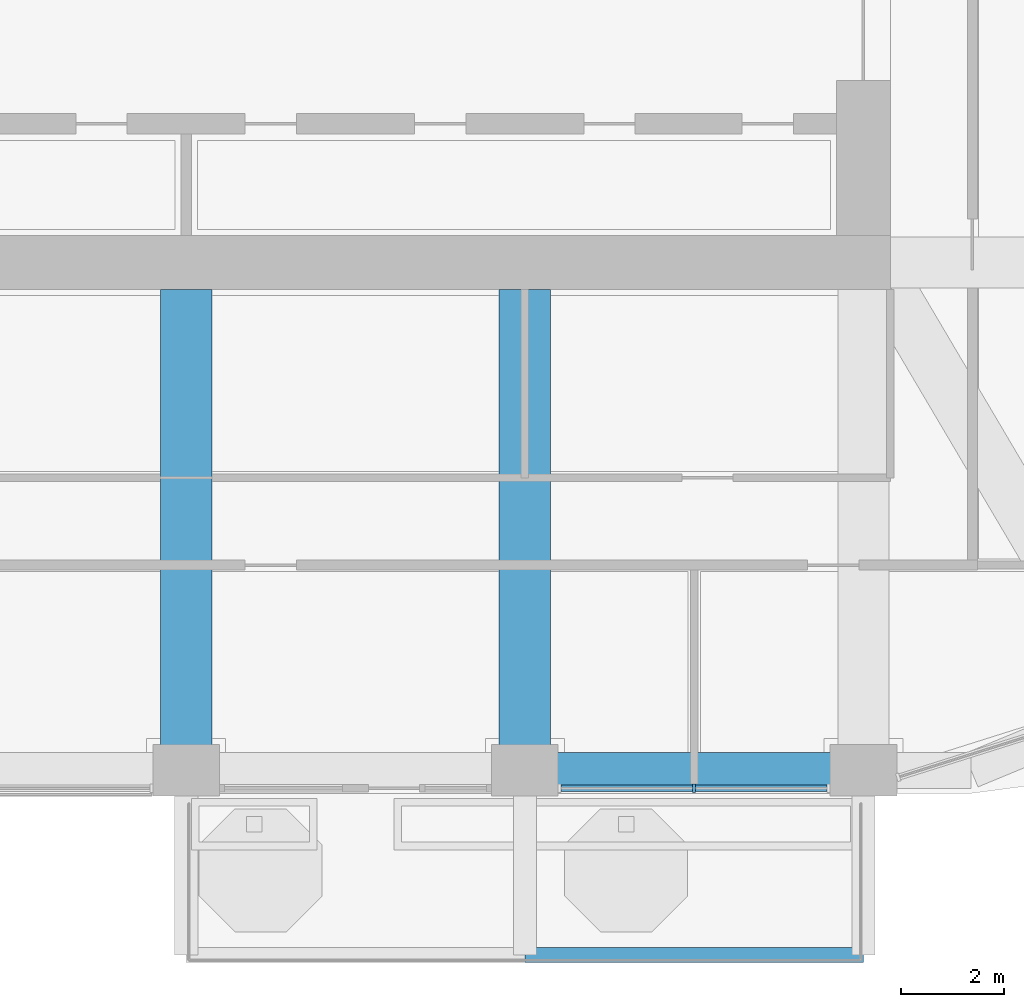
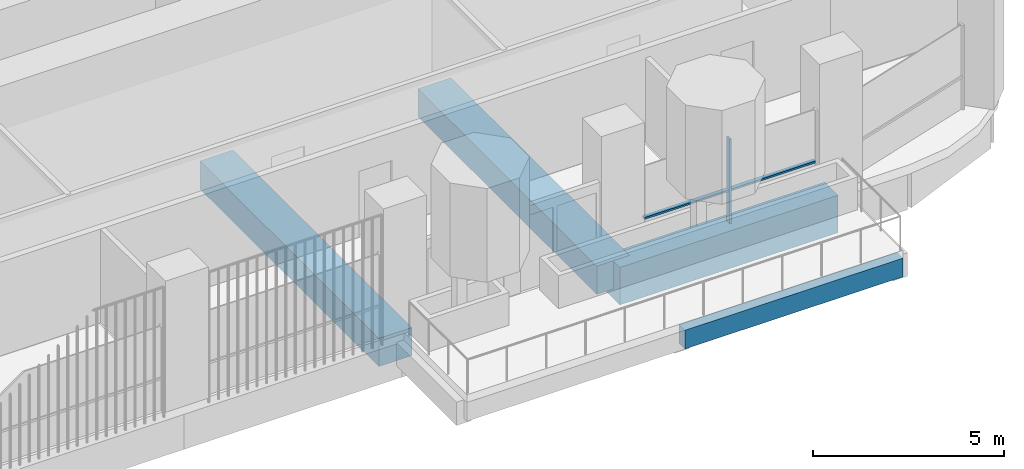
# One storey, part 3 of 21: 4 beams, 3 members, 1 element without a shape of its own.
"""IFC4 building model written with IfcOpenShell, lengths in metres."""

from ifc_helpers import new_model, si_unit, direction, frame, origin, origin_2d, place, context, subcontext, project, spatial, rectangle, extrude, material, material_profile, profile_set, type_object, element, aggregate, save


model = new_model("IFC4")

# Units and contexts
model_context = context("Model", 3, precision=1e-05, world=origin(), true_north=direction((0.0, 1.0)))
body_context = subcontext(model_context, "Body", "Model", "MODEL_VIEW")
ifc_project = project(units=[si_unit("LENGTHUNIT", "METRE"), si_unit("AREAUNIT", "SQUARE_METRE"), si_unit("VOLUMEUNIT", "CUBIC_METRE"), si_unit("PLANEANGLEUNIT", "RADIAN"), si_unit("MASSUNIT", "GRAM", prefix="KILO")], contexts=[model_context])

# Site, building, storey
site_placement = place(None, origin())
site = spatial("IfcSite", under=ifc_project, at=site_placement, CompositionType="ELEMENT")
building_placement = place(site_placement, origin())
building = spatial("IfcBuilding", under=site, at=building_placement, Name="Cobogo Forest Laboratory Tower", CompositionType="ELEMENT")
storey_placement = place(building_placement, frame((0.0, 0.0, 241.800048828125)))
storey = spatial("IfcBuildingStorey", under=building, at=storey_placement, Name="L55", CompositionType="ELEMENT", Elevation=241.800048828125)

# Beam
ifc_material_1 = material(Name="Concrete HA-40 (C40/50)", Category="concrete")
ifc_material_profile_1 = material_profile(ifc_material_1, rectangle(XDim=0.300048828125, YDim=0.60009765625, at=origin_2d()), Name="RC 300x600")
ifc_profile_set_1 = profile_set([ifc_material_profile_1], Name="Concrete HA-40 (C40/50)")
beam_type_1 = type_object("IfcBeamType", Name="Balcony edge beam 300x600", PredefinedType="BEAM", material=ifc_profile_set_1)
beam_1_placement = place(storey_placement, frame((33.0, -0.300048828125, -0.550048828125), z_axis=(1.0, 0.0, 0.0), x_axis=(0.0, 1.0, 0.0)))
element("IfcBeam", 1, at=beam_1_placement, inside=storey, type_object=beam_type_1, Name="BB1 BAL-S1-T2 L55", PredefinedType="BEAM", context=body_context, shape_type="SweptSolid", body=[
    extrude(rectangle(XDim=0.300048828125, YDim=0.60009765625, at=origin_2d()), origin(), (0.0, 0.0, 1.0), 6.60009765625),
])

# Curtain wall, member
ifc_material_2 = material(Name="Aluminium curtain wall", Category="aluminium")
curtain_wall_type = type_object("IfcCurtainWallType", Name="CW-2 unitised curtain wall, solar control glazing, laboratory floors zones C and D", PredefinedType="USERDEFINED", material=ifc_material_2)
curtain_wall_placement = place(storey_placement, origin())
curtain_wall = element("IfcCurtainWall", 2, at=curtain_wall_placement, inside=storey, type_object=curtain_wall_type, Name="Curtain wall 04 L55", ObjectType="UNITISED CURTAIN WALL", PredefinedType="USERDEFINED")
ifc_material_3 = material(Name="Aluminium mullion", Category="aluminium")
ifc_material_profile_2 = material_profile(ifc_material_3, rectangle(XDim=0.06005859375, YDim=0.159912109375, at=origin_2d()), Name="AL 60x160")
ifc_profile_set_2 = profile_set([ifc_material_profile_2], Name="Aluminium mullion")
member_type_1 = type_object("IfcMemberType", Name="MU-1 aluminium mullion 60x160", PredefinedType="MULLION", material=ifc_profile_set_2)
member_1_placement = place(storey_placement, frame((36.300048828125, 2.949951171875, 0.0), z_axis=(0.0, 0.0, 1.0), x_axis=(1.0, 0.0, 0.0)))
member_1 = element("IfcMember", 3, at=member_1_placement, type_object=member_type_1, Name="CW-2 mullion 2", PredefinedType="MULLION", context=body_context, shape_type="SweptSolid", body=[
    extrude(rectangle(XDim=0.06005859375, YDim=0.159912109375, at=origin_2d()), origin(), (0.0, 0.0, 1.0), 2.699951171875),
])

# Beams
ifc_material_profile_3 = material_profile(ifc_material_1, rectangle(XDim=1.0, YDim=0.89990234375, at=origin_2d()), Name="RC 1000x900")
ifc_profile_set_3 = profile_set([ifc_material_profile_3], Name="Concrete HA-40 (C40/50)")
beam_type_2 = type_object("IfcBeamType", Name="Office floor wide beam 1000x900", PredefinedType="BEAM", material=ifc_profile_set_3)
for number, where, z_axis, x_axis, name in (
    (4, (26.39990234375, 12.675048828125, -0.75), (0.0, -1.0, 0.0), (1.0, 0.0, 0.0), "RB2 R-5-S L55"),
    (5, (33.0, 12.675048828125, -0.75), (0.0, -1.0, 0.0), (1.0, 0.0, 0.0), "RB2 R-6-S L55"),
):
    element("IfcBeam", number, at=place(storey_placement, frame(where, z_axis=z_axis, x_axis=x_axis)), inside=storey, type_object=beam_type_2, Name=name, PredefinedType="BEAM", context=body_context, shape_type="SweptSolid", body=[
        extrude(rectangle(XDim=1.0, YDim=0.89990234375, at=origin_2d()), origin(), (0.0, 0.0, 1.0), 9.375),
    ])
ifc_material_profile_4 = material_profile(ifc_material_1, rectangle(XDim=0.699951171875, YDim=1.199951171875, at=origin_2d()), Name="RC 700x1200")
ifc_profile_set_4 = profile_set([ifc_material_profile_4], Name="Concrete HA-40 (C40/50)")
beam_type_3 = type_object("IfcBeamType", Name="Perimeter edge beam 700x1200", PredefinedType="BEAM", material=ifc_profile_set_4)
beam_2_placement = place(storey_placement, frame((33.0, 3.300048828125, -0.900146484375), z_axis=(1.0, 0.0, 0.0), x_axis=(0.0, 1.0, 0.0)))
element("IfcBeam", 6, at=beam_2_placement, inside=storey, type_object=beam_type_3, Name="EB1 E-S4 L55", PredefinedType="BEAM", context=body_context, shape_type="SweptSolid", body=[
    extrude(rectangle(XDim=0.699951171875, YDim=1.199951171875, at=origin_2d()), origin(), (0.0, 0.0, 1.0), 6.60009765625),
])

# Member
ifc_material_4 = material(Name="Aluminium transom", Category="aluminium")
ifc_material_profile_5 = material_profile(ifc_material_4, rectangle(XDim=0.1201171875, YDim=0.06005859375, at=origin_2d()), Name="AL 60x120")
ifc_profile_set_5 = profile_set([ifc_material_profile_5], Name="Aluminium transom")
member_type_2 = type_object("IfcMemberType", Name="TR-1 aluminium transom 60x120", PredefinedType="USERDEFINED", material=ifc_profile_set_5)
member_2_placement = place(storey_placement, frame((33.7099609375, 2.949951171875, 1.050048828125), z_axis=(1.0, 0.0, 0.0), x_axis=(0.0, 1.0, 0.0)))
member_2 = element("IfcMember", 7, at=member_2_placement, type_object=member_type_2, Name="CW-2 transom 1.1", ObjectType="TRANSOM", PredefinedType="USERDEFINED", context=body_context, shape_type="SweptSolid", body=[
    extrude(rectangle(XDim=0.1201171875, YDim=0.06005859375, at=origin_2d()), origin(), (0.0, 0.0, 1.0), 2.56005859375),
])

member_3_placement = place(storey_placement, frame((36.330078125, 2.949951171875, 1.050048828125), z_axis=(1.0, 0.0, 0.0), x_axis=(0.0, 1.0, 0.0)))
member_3 = element("IfcMember", 8, at=member_3_placement, type_object=member_type_2, Name="CW-2 transom 2.1", ObjectType="TRANSOM", PredefinedType="USERDEFINED", context=body_context, shape_type="SweptSolid", body=[
    extrude(rectangle(XDim=0.1201171875, YDim=0.06005859375, at=origin_2d()), origin(), (0.0, 0.0, 1.0), 2.559814453125),
])

aggregate(curtain_wall, [member_1, member_2, member_3])

save(model, "model.ifc")
